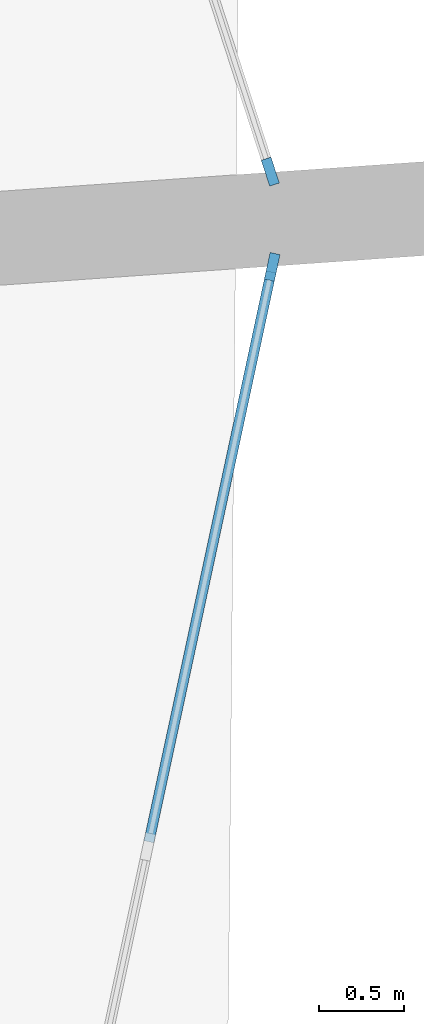
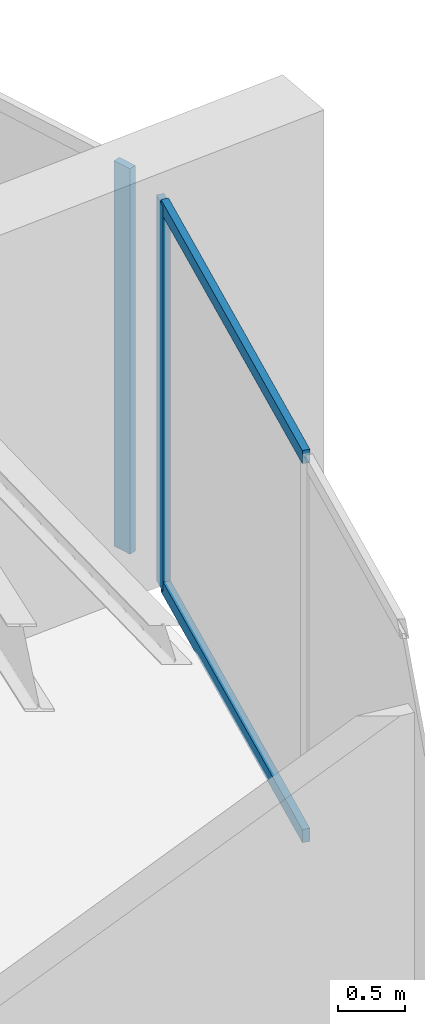
# One storey, part 17 of 31: 4 members, 2 elements without a shape of their own.
"""IFC4 building model written with IfcOpenShell, lengths in metres."""

from ifc_helpers import new_model, si_unit, direction, frame, origin, origin_2d, place, context, subcontext, project, spatial, rectangle, extrude, material, layer, layer_set, material_profile, profile_set, type_object, element, aggregate, save


model = new_model("IFC4")

# Units and contexts
model_context = context("Model", 3, precision=1e-05, world=origin(), true_north=direction((0.0, 1.0)))
body_context = subcontext(model_context, "Body", "Model", "MODEL_VIEW")
ifc_project = project(units=[si_unit("LENGTHUNIT", "METRE"), si_unit("AREAUNIT", "SQUARE_METRE"), si_unit("VOLUMEUNIT", "CUBIC_METRE"), si_unit("PLANEANGLEUNIT", "RADIAN"), si_unit("MASSUNIT", "GRAM", prefix="KILO")], contexts=[model_context])

# Site, building, storey
site_placement = place(None, origin())
site = spatial("IfcSite", under=ifc_project, at=site_placement, CompositionType="ELEMENT")
building_placement = place(site_placement, origin())
building = spatial("IfcBuilding", under=site, at=building_placement, Name="Kazma Halo Residences", CompositionType="ELEMENT")
storey_placement = place(building_placement, frame((0.0, 0.0, 37.64990234375)))
storey = spatial("IfcBuildingStorey", under=building, at=storey_placement, Name="L08", CompositionType="ELEMENT", Elevation=37.64990234375)

# Curtain wall, member
ifc_material_1 = material(Name="Aluminium AW-6063 T6 and Triple-Silver Low-E Glass", Category="aluminium")
ifc_layer = layer(ifc_material_1, 0.159912109375)
ifc_layer_set = layer_set([ifc_layer], Name="Aluminium AW-6063 T6 and Triple-Silver Low-E Glass")
curtain_wall_type = type_object("IfcCurtainWallType", Name="CW-SYS-2", PredefinedType="NOTDEFINED", material=ifc_layer_set)
curtain_wall_1_placement = place(storey_placement, origin())
curtain_wall_1 = element("IfcCurtainWall", 1, at=curtain_wall_1_placement, inside=storey, type_object=curtain_wall_type, Name="L08 unitised curtain wall B15", PredefinedType="NOTDEFINED")
ifc_material_2 = material(Name="Aluminium AW-6063 T6", Category="aluminium")
ifc_material_profile_1 = material_profile(ifc_material_2, rectangle(XDim=0.06005859375, YDim=0.159912109375, at=origin_2d()), Name="CWM-60x160")
ifc_profile_set_1 = profile_set([ifc_material_profile_1], Name="Aluminium AW-6063 T6")
member_type_1 = type_object("IfcMemberType", Name="CW-SYS-2-MUL", PredefinedType="MULLION", material=ifc_profile_set_1)
member_1_placement = place(storey_placement, frame((79.74951171875, 43.940673828125, 0.0), z_axis=(0.0, 0.0, 1.0), x_axis=(-0.977779215096, 0.209637321406, 0.0)))
member_1 = element("IfcMember", 2, at=member_1_placement, type_object=member_type_1, Name="CWS-2 mullion 4", PredefinedType="MULLION", context=body_context, shape_type="SweptSolid", body=[
    extrude(rectangle(XDim=0.06005859375, YDim=0.159912109375, at=origin_2d()), origin(), (0.0, 0.0, 1.0), 3.5),
])

curtain_wall_2_placement = place(storey_placement, origin())
curtain_wall_2 = element("IfcCurtainWall", 3, at=curtain_wall_2_placement, inside=storey, type_object=curtain_wall_type, Name="L08 unitised curtain wall B16", PredefinedType="NOTDEFINED")
member_2_placement = place(storey_placement, frame((79.73828125, 44.499267578125, 0.0), z_axis=(0.0, 0.0, 1.0), x_axis=(-0.95105652404, -0.309016970539, 0.0)))
member_2 = element("IfcMember", 4, at=member_2_placement, type_object=member_type_1, Name="CWS-2 mullion 1", PredefinedType="MULLION", context=body_context, shape_type="SweptSolid", body=[
    extrude(rectangle(XDim=0.06005859375, YDim=0.159912109375, at=origin_2d()), origin(), (0.0, 0.0, 1.0), 3.5),
])
aggregate(curtain_wall_2, [member_2])

# Member
ifc_material_profile_2 = material_profile(ifc_material_2, rectangle(XDim=0.06005859375, YDim=0.1201171875, at=origin_2d()), Name="CWT-60x120")
ifc_profile_set_2 = profile_set([ifc_material_profile_2], Name="Aluminium AW-6063 T6")
member_type_2 = type_object("IfcMemberType", Name="CW-SYS-2-TRN", PredefinedType="USERDEFINED", material=ifc_profile_set_2)
member_3_placement = place(storey_placement, frame((79.025634765625, 40.565185546875, 0.030029296875), z_axis=(0.209665500897, 0.977773172946, 0.0), x_axis=(-0.977773172946, 0.209665500897, 0.0)))
member_3 = element("IfcMember", 5, at=member_3_placement, type_object=member_type_2, Name="CWS-2 transom 3.1", ObjectType="TRANSOM", PredefinedType="USERDEFINED", context=body_context, shape_type="SweptSolid", body=[
    extrude(rectangle(XDim=0.06005859375, YDim=0.1201171875, at=origin_2d()), origin(), (0.0, 0.0, 1.0), 3.42236328125),
])

member_4_placement = place(storey_placement, frame((79.025634765625, 40.565185546875, 3.47021484375), z_axis=(0.209665500897, 0.977773172946, 0.0), x_axis=(-0.977773172946, 0.209665500897, 0.0)))
member_4 = element("IfcMember", 6, at=member_4_placement, type_object=member_type_2, Name="CWS-2 transom 3.2", ObjectType="TRANSOM", PredefinedType="USERDEFINED", context=body_context, shape_type="SweptSolid", body=[
    extrude(rectangle(XDim=0.06005859375, YDim=0.1201171875, at=origin_2d()), origin(), (0.0, 0.0, 1.0), 3.42236328125),
])

aggregate(curtain_wall_1, [member_1, member_3, member_4])

save(model, "model.ifc")
